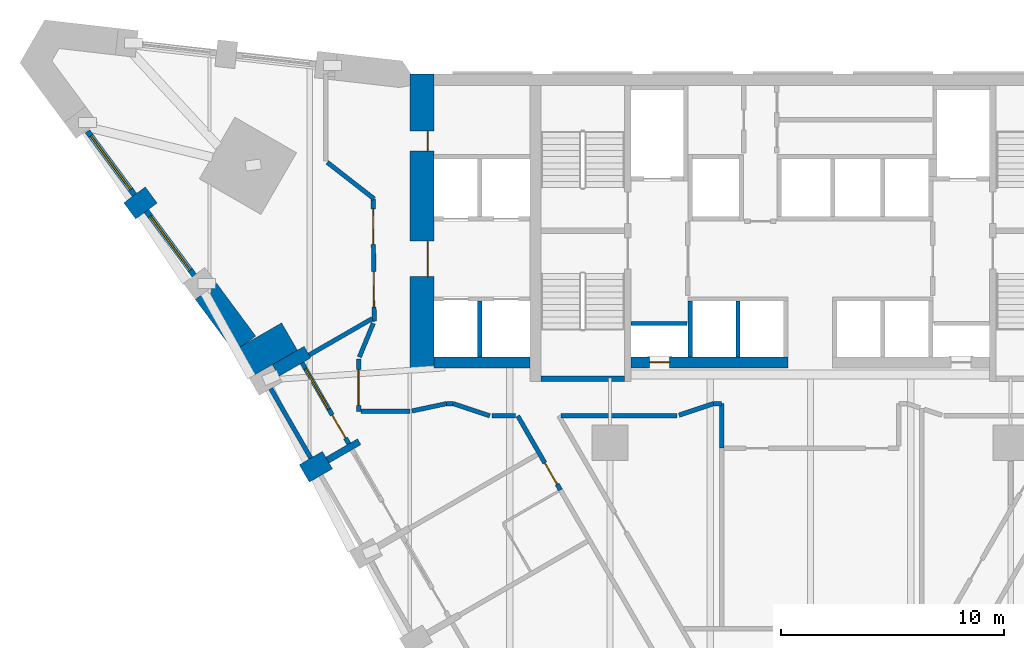
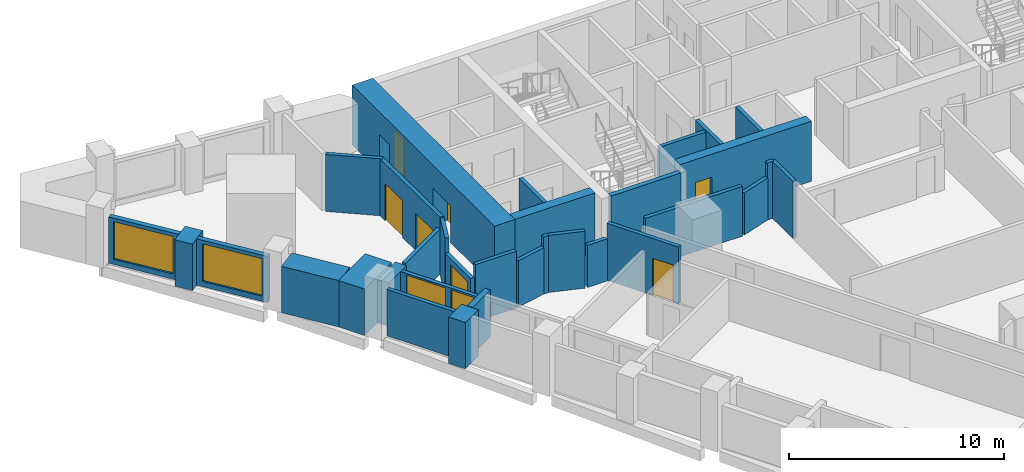
# One storey, part 5 of 10: 33 walls, 8 doors, 3 windows, 11 openings.
"""IFC4 building model written with IfcOpenShell, lengths in metres."""

from ifc_helpers import new_model, si_unit, direction, frame, frame_2d, origin, place, context, subcontext, project, spatial, polyline, rectangle, outline, extrude, material, layer, layer_set, type_object, element, fill, save


model = new_model("IFC4")

# Units and contexts
model_context = context("Model", 3, precision=1e-05, world=origin(), true_north=direction((0.0, 1.0)))
body_context = subcontext(model_context, "Body", "Model", "MODEL_VIEW")
ifc_project = project(units=[si_unit("LENGTHUNIT", "METRE"), si_unit("AREAUNIT", "SQUARE_METRE"), si_unit("VOLUMEUNIT", "CUBIC_METRE"), si_unit("PLANEANGLEUNIT", "RADIAN"), si_unit("MASSUNIT", "GRAM", prefix="KILO")], contexts=[model_context])

# Site, building, storey
site_placement = place(None, origin())
site = spatial("IfcSite", under=ifc_project, at=site_placement, CompositionType="ELEMENT")
building_placement = place(site_placement, origin())
building = spatial("IfcBuilding", under=site, at=building_placement, Name="Calabash Gate Tower", CompositionType="ELEMENT")
storey_placement = place(building_placement, frame((0.0, 0.0, 63.0)))
storey = spatial("IfcBuildingStorey", under=building, at=storey_placement, Name="L11", CompositionType="ELEMENT", Elevation=63.0)

# Walls
ifc_material_1 = material(Name="Terracotta brick masonry, exposed face", Category="masonry")
ifc_layer_1 = layer(ifc_material_1, 2.5)
ifc_layer_set_1 = layer_set([ifc_layer_1], Name="Brick corner mass wall 2500")
wall_type_1 = type_object("IfcWallType", Name="Brick corner mass wall 2500", PredefinedType="SOLIDWALL", material=ifc_layer_set_1)
wall_1_placement = place(storey_placement, frame((-25.568603515625, 6.014404296875, 0.0), z_axis=(0.0, 0.0, 1.0), x_axis=(0.866022959057, 0.500004234368, 0.0)))
element("IfcWall", 1, at=wall_1_placement, inside=storey, type_object=wall_type_1, Name="Brick corner pier S02 1", PredefinedType="SOLIDWALL", context=body_context, shape_type="SweptSolid", body=[
    extrude(rectangle(XDim=2.5, YDim=1.417236328125, at=frame_2d((1.25, 0.0))), origin(), (0.0, 0.0, 1.0), 2.6298828125),
])
ifc_material_2 = material(Name="Terracotta brick masonry, exposed face", Category="masonry")
ifc_layer_2 = layer(ifc_material_2, 1.199951171875)
ifc_layer_set_2 = layer_set([ifc_layer_2], Name="Brick end wall 1200")
wall_type_2 = type_object("IfcWallType", Name="Brick end wall 1200", PredefinedType="SOLIDWALL", material=ifc_layer_set_2)
wall_2_placement = place(storey_placement, frame((-22.7392578125, 1.114013671875, 0.0), z_axis=(0.0, 0.0, 1.0), x_axis=(0.866043267704, 0.499969057507, 0.0)))
element("IfcWall", 2, at=wall_2_placement, inside=storey, type_object=wall_type_2, Name="Brick pier S02 SW0.1", PredefinedType="SOLIDWALL", context=body_context, shape_type="SweptSolid", body=[
    extrude(rectangle(XDim=1.19970703125, YDim=0.89990234375, at=frame_2d((0.599853515625, 0.0))), origin(), (0.0, 0.0, 1.0), 2.6298828125),
])
wall_3_placement = place(storey_placement, frame((-30.581787109375, 12.91015625, 0.0), z_axis=(0.0, 0.0, 1.0), x_axis=(0.803549985832, 0.595237280644, 0.0)))
element("IfcWall", 3, at=wall_3_placement, inside=storey, type_object=wall_type_2, Name="Brick pier S02 wedge7.1", PredefinedType="SOLIDWALL", context=body_context, shape_type="SweptSolid", body=[
    extrude(rectangle(XDim=1.2001953125, YDim=0.89990234375, at=frame_2d((0.60009765625, 0.0))), origin(), (0.0, 0.0, 1.0), 2.6298828125),
])
wall_4_placement = place(storey_placement, origin())
element("IfcWall", 4, at=wall_4_placement, inside=storey, type_object=wall_type_2, Name="Brick end wall S02 3", PredefinedType="SOLIDWALL", context=body_context, shape_type="SweptSolid", body=[
    extrude(outline(polyline([(-24.921142578125, 7.285400390625), (-26.6708984375, 9.64697265625), (-26.671142578125, 9.646728515625), (-26.6708984375, 9.646484375), (-27.635009765625, 8.932373046875), (-25.90576171875, 6.5986328125), (-25.9228515625, 6.628173828125), (-25.4033203125, 6.92822265625), (-24.921142578125, 7.285400390625)])), origin(), (0.0, 0.0, 1.0), 2.6298828125),
])
ifc_material_3 = material(Name="Terracotta brick masonry, exposed face", Category="masonry")
ifc_layer_3 = layer(ifc_material_3, 0.300048828125)
ifc_layer_set_3 = layer_set([ifc_layer_3], Name="Brick loggia cheek wall 300")
wall_type_3 = type_object("IfcWallType", Name="Brick loggia cheek wall 300", PredefinedType="SOLIDWALL", material=ifc_layer_set_3)
wall_5_placement = place(storey_placement, frame((-22.59619140625, 6.56591796875, 0.0), z_axis=(0.0, 0.0, 1.0), x_axis=(-0.866040211805, -0.499974350878, 0.0)))
element("IfcWall", 5, at=wall_5_placement, inside=storey, type_object=wall_type_3, Name="Loggia cheek S02 SW0.0", PredefinedType="SOLIDWALL", context=body_context, shape_type="SweptSolid", body=[
    extrude(rectangle(XDim=1.64990234375, YDim=0.60009765625, at=frame_2d((0.824951171875, 0.0))), origin(), (0.0, 0.0, 1.0), 2.4501953125),
])
wall_6_placement = place(storey_placement, frame((-20.271240234375, 2.5390625, 0.0), z_axis=(0.0, 0.0, 1.0), x_axis=(-0.865976140824, -0.500085316245, 0.0)))
element("IfcWall", 6, at=wall_6_placement, inside=storey, type_object=wall_type_3, Name="Loggia cheek S02 SW0.1", PredefinedType="SOLIDWALL", context=body_context, shape_type="SweptSolid", body=[
    extrude(rectangle(XDim=1.650146484375, YDim=0.300048828125, at=frame_2d((0.8251953125, 0.0))), origin(), (0.0, 0.0, 1.0), 2.64990234375),
])

# Wall, openings, doors
ifc_material_4 = material(Name="Concrete C80/95", Category="concrete")
ifc_layer_4 = layer(ifc_material_4, 1.10009765625)
ifc_layer_set_4 = layer_set([ifc_layer_4], Name="Core wall 1100 Concrete C80/95")
wall_type_4 = type_object("IfcWallType", Name="Core wall 1100 Concrete C80/95", PredefinedType="SHEAR", material=ifc_layer_set_4)
wall_7_placement = place(storey_placement, frame((-17.449951171875, 5.8525390625, 0.0), z_axis=(0.0, 0.0, 1.0), x_axis=(0.0, 1.0, 0.0)))
wall_7 = element("IfcWall", 7, at=wall_7_placement, inside=storey, type_object=wall_type_4, Name="Core wall Z1-ENDW L11", PredefinedType="SHEAR", context=body_context, shape_type="SweptSolid", body=[
    extrude(rectangle(XDim=13.199951171875, YDim=1.10009765625, at=frame_2d((6.60009765625, 0.0))), origin(), (0.0, 0.0, 1.0), 3.39990234375),
])
opening_1_placement = place(wall_7_placement, frame((4.10009765625, 0.0, 0.0)))
opening_1 = element("IfcOpeningElement", 8, at=opening_1_placement, cuts=wall_7, Name="Opening H2-003", PredefinedType="OPENING", context=body_context, shape_type="SweptSolid", body=[
    extrude(rectangle(XDim=1.60009765625, YDim=2.10009765625, at=frame_2d((0.800048828125, 1.050048828125))), frame((0.0, 0.56005859375, 0.0), z_axis=(0.0, -1.0, 0.0), x_axis=(1.0, 0.0, 0.0)), (0.0, 0.0, 1.0), 1.1201171875),
])
opening_2_placement = place(wall_7_placement, frame((9.75, 0.0, 0.0)))
opening_2 = element("IfcOpeningElement", 9, at=opening_2_placement, cuts=wall_7, Name="Opening H2-004", PredefinedType="OPENING", context=body_context, shape_type="SweptSolid", body=[
    extrude(rectangle(XDim=0.89990234375, YDim=2.10009765625, at=frame_2d((0.449951171875, 1.050048828125))), frame((0.0, 0.56005859375, 0.0), z_axis=(0.0, -1.0, 0.0), x_axis=(1.0, 0.0, 0.0)), (0.0, 0.0, 1.0), 1.1201171875),
])
ifc_material_5 = material(Name="Steel fire door set with fire-resisting glazing", Category="steel")
door_type_1 = type_object("IfcDoorType", Name="Double fire door D08 1600x2100 FD60", OperationType="DOUBLE_DOOR_SINGLE_SWING", PredefinedType="DOOR", material=ifc_material_5)
door_1_placement = place(opening_1_placement, origin())
door_1 = element("IfcDoor", 10, at=door_1_placement, inside=storey, type_object=door_type_1, Name="Low-rise Lift Lobby W door", OperationType="DOUBLE_DOOR_SINGLE_SWING", OverallHeight=2.10009765625, OverallWidth=1.60009765625, PredefinedType="DOOR", context=body_context, shape_type="SweptSolid", body=[
    extrude(rectangle(XDim=1.60009765625, YDim=2.10009765625, at=frame_2d((0.800048828125, 1.050048828125))), frame((0.0, -0.22509765625, 0.0), z_axis=(0.0, -1.0, 0.0), x_axis=(1.0, 0.0, 0.0)), (0.0, 0.0, 1.0), 0.050048828125),
])
fill(opening_1, door_1)
ifc_material_6 = material(Name="Steel fire door set with fire-resisting glazing", Category="steel")
door_type_2 = type_object("IfcDoorType", Name="Fire door D06 900x2100 FD60", OperationType="NOTDEFINED", PredefinedType="DOOR", material=ifc_material_6)
door_2_placement = place(opening_2_placement, origin())
door_2 = element("IfcDoor", 11, at=door_2_placement, inside=storey, type_object=door_type_2, Name="Luggage Store door", OperationType="SINGLE_SWING_RIGHT", OverallHeight=2.10009765625, OverallWidth=0.89990234375, PredefinedType="DOOR", context=body_context, shape_type="SweptSolid", body=[
    extrude(rectangle(XDim=0.89990234375, YDim=2.10009765625, at=frame_2d((0.449951171875, 1.050048828125))), frame((0.0, -0.22509765625, 0.0), z_axis=(0.0, -1.0, 0.0), x_axis=(1.0, 0.0, 0.0)), (0.0, 0.0, 1.0), 0.050048828125),
])
fill(opening_2, door_2)

# Wall
ifc_material_7 = material(Name="Concrete C80/95", Category="concrete")
ifc_layer_5 = layer(ifc_material_7, 0.25)
ifc_layer_set_5 = layer_set([ifc_layer_5], Name="Core wall 250 Concrete C80/95")
wall_type_5 = type_object("IfcWallType", Name="Core wall 250 Concrete C80/95", PredefinedType="SHEAR", material=ifc_layer_set_5)
wall_8_placement = place(storey_placement, frame((-12.10009765625, 5.377685546875, 0.0), z_axis=(0.0, 0.0, 1.0), x_axis=(1.0, 0.0, 0.0)))
element("IfcWall", 12, at=wall_8_placement, inside=storey, type_object=wall_type_5, Name="Core wall Z1-SSW L11", PredefinedType="SHEAR", context=body_context, shape_type="SweptSolid", body=[
    extrude(rectangle(XDim=3.75, YDim=0.25, at=frame_2d((1.875, 0.0))), origin(), (0.0, 0.0, 1.0), 3.39990234375),
])

# Wall, opening, door
ifc_material_8 = material(Name="Concrete C80/95", Category="concrete")
ifc_layer_6 = layer(ifc_material_8, 0.5)
ifc_layer_set_6 = layer_set([ifc_layer_6], Name="Core wall 500 Concrete C80/95")
wall_type_6 = type_object("IfcWallType", Name="Core wall 500 Concrete C80/95", PredefinedType="SHEAR", material=ifc_layer_set_6)
wall_9_placement = place(storey_placement, frame((-8.050048828125, 6.1025390625, 0.0), z_axis=(0.0, 0.0, 1.0), x_axis=(1.0, 0.0, 0.0)))
wall_9 = element("IfcWall", 13, at=wall_9_placement, inside=storey, type_object=wall_type_6, Name="Core wall Z1-SA L11", PredefinedType="SHEAR", context=body_context, shape_type="SweptSolid", body=[
    extrude(rectangle(XDim=7.050048828125, YDim=0.5, at=frame_2d((3.52490234375, 0.0))), origin(), (0.0, 0.0, 1.0), 3.39990234375),
])
opening_3_placement = place(wall_9_placement, frame((0.824951171875, 0.0, 0.0)))
opening_3 = element("IfcOpeningElement", 14, at=opening_3_placement, cuts=wall_9, Name="Opening H2-012", PredefinedType="OPENING", context=body_context, shape_type="SweptSolid", body=[
    extrude(rectangle(XDim=0.89990234375, YDim=2.10009765625, at=frame_2d((0.449951171875, 1.050048828125))), frame((0.0, 0.260009765625, 0.0), z_axis=(0.0, -1.0, 0.0), x_axis=(1.0, 0.0, 0.0)), (0.0, 0.0, 1.0), 0.52001953125),
])
ifc_material_9 = material(Name="Steel fire door set with fire-resisting glazing", Category="steel")
door_type_3 = type_object("IfcDoorType", Name="Fire door D07 900x2100 FD90", OperationType="NOTDEFINED", PredefinedType="DOOR", material=ifc_material_9)
door_3_placement = place(opening_3_placement, origin())
door_3 = element("IfcDoor", 15, at=door_3_placement, inside=storey, type_object=door_type_3, Name="Electrical Riser W door", OperationType="SINGLE_SWING_LEFT", OverallHeight=2.10009765625, OverallWidth=0.89990234375, PredefinedType="DOOR", context=body_context, shape_type="SweptSolid", body=[
    extrude(rectangle(XDim=0.89990234375, YDim=2.10009765625, at=frame_2d((0.449951171875, 1.050048828125))), frame((0.0, 0.02490234375, 0.0), z_axis=(0.0, -1.0, 0.0), x_axis=(1.0, 0.0, 0.0)), (0.0, 0.0, 1.0), 0.050048828125),
])
fill(opening_3, door_3)

# Wall
wall_10_placement = place(storey_placement, frame((-12.60009765625, 6.1025390625, 0.0), z_axis=(0.0, 0.0, 1.0), x_axis=(-1.0, 0.0, 0.0)))
element("IfcWall", 16, at=wall_10_placement, inside=storey, type_object=wall_type_6, Name="Core wall Z1-SW L11", PredefinedType="SHEAR", context=body_context, shape_type="SweptSolid", body=[
    extrude(rectangle(XDim=4.2998046875, YDim=0.5, at=frame_2d((2.14990234375, 0.0))), origin(), (0.0, 0.0, 1.0), 3.39990234375),
])

# Wall, opening, door
ifc_material_10 = material(Name="Gypsum board on steel studs, mineral wool", Category="steel")
ifc_layer_7 = layer(ifc_material_10, 0.199951171875)
ifc_layer_set_7 = layer_set([ifc_layer_7], Name="Partition 200 gypsum board EI 60")
wall_type_7 = type_object("IfcWallType", Name="Partition 200 gypsum board EI 60", PredefinedType="PARTITIONING", material=ifc_layer_set_7)
wall_11_placement = place(storey_placement, frame((-13.1474609375, 3.699462890625, 0.0), z_axis=(0.0, 0.0, 1.0), x_axis=(0.499337423021, -0.866407604982, 0.0)))
wall_11 = element("IfcWall", 17, at=wall_11_placement, inside=storey, type_object=wall_type_7, Name="Partition", PredefinedType="PARTITIONING", context=body_context, shape_type="SweptSolid", body=[
    extrude(rectangle(XDim=3.843017578125, YDim=0.199951171875, at=frame_2d((1.92138671875, 0.0))), origin(), (0.0, 0.0, 1.0), 3.22998046875),
])
opening_4_placement = place(wall_11_placement, frame((2.443115234375, 0.0, 0.0)))
opening_4 = element("IfcOpeningElement", 18, at=opening_4_placement, cuts=wall_11, Name="Opening 09-11-001", PredefinedType="OPENING", context=body_context, shape_type="SweptSolid", body=[
    extrude(rectangle(XDim=1.10009765625, YDim=2.10009765625, at=frame_2d((0.550048828125, 1.050048828125))), frame((0.0, 0.10986328125, 0.0), z_axis=(0.0, -1.0, 0.0), x_axis=(1.0, 0.0, 0.0)), (0.0, 0.0, 1.0), 0.219970703125),
])
ifc_material_11 = material(Name="Steel fire door set with fire-resisting glazing", Category="steel")
door_type_4 = type_object("IfcDoorType", Name="GD2 Accessible guest room entrance door 1100x2100", OperationType="NOTDEFINED", PredefinedType="DOOR", material=ifc_material_11)
door_4_placement = place(opening_4_placement, origin())
door_4 = element("IfcDoor", 19, at=door_4_placement, inside=storey, type_object=door_type_4, Name="Accessible guest room entrance door", OperationType="SINGLE_SWING_RIGHT", OverallHeight=2.10009765625, OverallWidth=1.10009765625, PredefinedType="DOOR", context=body_context, shape_type="SweptSolid", body=[
    extrude(rectangle(XDim=1.10009765625, YDim=2.10009765625, at=frame_2d((0.550048828125, 1.050048828125))), frame((0.0, 0.02490234375, 0.0), z_axis=(0.0, -1.0, 0.0), x_axis=(1.0, 0.0, 0.0)), (0.0, 0.0, 1.0), 0.050048828125),
])
fill(opening_4, door_4)

# Walls
wall_12_placement = place(storey_placement, frame((-3.98193359375, 4.25048828125, 0.0), z_axis=(0.0, 0.0, 1.0), x_axis=(0.000855327155, -0.999999634208, 0.0)))
element("IfcWall", 20, at=wall_12_placement, inside=storey, type_object=wall_type_7, Name="Partition", PredefinedType="PARTITIONING", context=body_context, shape_type="SweptSolid", body=[
    extrude(rectangle(XDim=1.998046875, YDim=0.199951171875, at=frame_2d((0.9990234375, 0.0))), origin(), (0.0, 0.0, 1.0), 3.22998046875),
])
wall_13_placement = place(storey_placement, frame((-16.057861328125, 4.252197265625, 0.0), z_axis=(0.0, 0.0, 1.0), x_axis=(0.948655351627, -0.316311592943, 0.0)))
element("IfcWall", 21, at=wall_13_placement, inside=storey, type_object=wall_type_7, Name="Partition", PredefinedType="PARTITIONING", context=body_context, shape_type="SweptSolid", body=[
    extrude(rectangle(XDim=1.747314453125, YDim=0.199951171875, at=frame_2d((0.87353515625, 0.0))), origin(), (0.0, 0.0, 1.0), 3.22998046875),
])
wall_14_placement = place(storey_placement, frame((-14.300048828125, 3.699462890625, 0.0), z_axis=(0.0, 0.0, 1.0), x_axis=(1.0, 0.0, 0.0)))
element("IfcWall", 22, at=wall_14_placement, inside=storey, type_object=wall_type_7, Name="Partition", PredefinedType="PARTITIONING", context=body_context, shape_type="SweptSolid", body=[
    extrude(rectangle(XDim=1.052490234375, YDim=0.199951171875, at=frame_2d((0.5263671875, 0.0))), origin(), (0.0, 0.0, 1.0), 2.384033203125),
])
wall_15_placement = place(storey_placement, frame((-11.199462890625, 3.69970703125, 0.0), z_axis=(0.0, 0.0, 1.0), x_axis=(1.0, 0.0, 0.0)))
element("IfcWall", 23, at=wall_15_placement, inside=storey, type_object=wall_type_7, Name="Partition", PredefinedType="PARTITIONING", context=body_context, shape_type="SweptSolid", body=[
    extrude(rectangle(XDim=5.199462890625, YDim=0.199951171875, at=frame_2d((2.599609375, 0.0))), origin(), (0.0, 0.0, 1.0), 2.83154296875),
])

# Wall, opening, door
wall_16_placement = place(storey_placement, frame((-20.300537109375, 6.252685546875, 0.0), z_axis=(0.0, 0.0, 1.0), x_axis=(0.000103755965, -0.999999994617, 0.0)))
wall_16 = element("IfcWall", 24, at=wall_16_placement, inside=storey, type_object=wall_type_7, Name="Partition", PredefinedType="PARTITIONING", context=body_context, shape_type="SweptSolid", body=[
    extrude(rectangle(XDim=2.35302734375, YDim=0.199951171875, at=frame_2d((1.176513671875, 0.0))), origin(), (0.0, 0.0, 1.0), 2.4501953125),
])
opening_5_placement = place(wall_16_placement, frame((0.476318359375, 0.0, 0.0)))
opening_5 = element("IfcOpeningElement", 25, at=opening_5_placement, cuts=wall_16, Name="Opening 09-11-018", PredefinedType="OPENING", context=body_context, shape_type="SweptSolid", body=[
    extrude(rectangle(XDim=1.60009765625, YDim=2.10009765625, at=frame_2d((0.800048828125, 1.050048828125))), frame((0.0, 0.10986328125, 0.0), z_axis=(0.0, -1.0, 0.0), x_axis=(1.0, 0.0, 0.0)), (0.0, 0.0, 1.0), 0.219970703125),
])
ifc_material_12 = material(Name="Steel fire door set with fire-resisting glazing", Category="steel")
door_type_5 = type_object("IfcDoorType", Name="LD1 Lounge double door 1600x2100", OperationType="NOTDEFINED", PredefinedType="DOOR", material=ifc_material_12)
door_5_placement = place(opening_5_placement, origin())
door_5 = element("IfcDoor", 26, at=door_5_placement, inside=storey, type_object=door_type_5, Name="Lounge double door", OperationType="DOUBLE_DOOR_SINGLE_SWING", OverallHeight=2.10009765625, OverallWidth=1.60009765625, PredefinedType="DOOR", context=body_context, shape_type="SweptSolid", body=[
    extrude(rectangle(XDim=1.60009765625, YDim=2.10009765625, at=frame_2d((0.800048828125, 1.050048828125))), frame((0.0, 0.02490234375, 0.0), z_axis=(0.0, -1.0, 0.0), x_axis=(1.0, 0.0, 0.0)), (0.0, 0.0, 1.0), 0.050048828125),
])
fill(opening_5, door_5)

# Walls
wall_17_placement = place(storey_placement, frame((-20.2001953125, 3.899658203125, 0.0), z_axis=(0.0, 0.0, 1.0), x_axis=(0.999999993844, -0.00011096316, 0.0)))
element("IfcWall", 27, at=wall_17_placement, inside=storey, type_object=wall_type_7, Name="Partition", PredefinedType="PARTITIONING", context=body_context, shape_type="SweptSolid", body=[
    extrude(rectangle(XDim=2.2001953125, YDim=0.199951171875, at=frame_2d((1.10009765625, 0.0))), origin(), (0.0, 0.0, 1.0), 3.22998046875),
])
wall_18_placement = place(storey_placement, frame((-17.902099609375, 3.92041015625, 0.0), z_axis=(0.0, 0.0, 1.0), x_axis=(0.978117199083, 0.208054667953, 0.0)))
element("IfcWall", 28, at=wall_18_placement, inside=storey, type_object=wall_type_7, Name="Partition", PredefinedType="PARTITIONING", context=body_context, shape_type="SweptSolid", body=[
    extrude(rectangle(XDim=1.5947265625, YDim=0.199951171875, at=frame_2d((0.79736328125, 0.0))), origin(), (0.0, 0.0, 1.0), 2.6279296875),
])
wall_19_placement = place(storey_placement, frame((-16.34228515625, 4.252197265625, 0.0), z_axis=(0.0, 0.0, 1.0), x_axis=(1.0, 0.0, 0.0)))
element("IfcWall", 29, at=wall_19_placement, inside=storey, type_object=wall_type_7, Name="Partition", PredefinedType="PARTITIONING", context=body_context, shape_type="SweptSolid", body=[
    extrude(rectangle(XDim=0.284423828125, YDim=0.199951171875, at=frame_2d((0.14208984375, 0.0))), origin(), (0.0, 0.0, 1.0), 3.22998046875),
])
wall_20_placement = place(storey_placement, frame((-5.905029296875, 3.7314453125, 0.0), z_axis=(0.0, 0.0, 1.0), x_axis=(0.948668476379, 0.316272227557, 0.0)))
element("IfcWall", 30, at=wall_20_placement, inside=storey, type_object=wall_type_7, Name="Partition", PredefinedType="PARTITIONING", context=body_context, shape_type="SweptSolid", body=[
    extrude(rectangle(XDim=1.647216796875, YDim=0.199951171875, at=frame_2d((0.82373046875, 0.0))), origin(), (0.0, 0.0, 1.0), 2.384033203125),
])
wall_21_placement = place(storey_placement, frame((-4.34228515625, 4.25244140625, 0.0), z_axis=(0.0, 0.0, 1.0), x_axis=(0.99998531183, -0.00541997459, 0.0)))
element("IfcWall", 31, at=wall_21_placement, inside=storey, type_object=wall_type_7, Name="Partition", PredefinedType="PARTITIONING", context=body_context, shape_type="SweptSolid", body=[
    extrude(rectangle(XDim=0.3603515625, YDim=0.199951171875, at=frame_2d((0.18017578125, 0.0))), origin(), (0.0, 0.0, 1.0), 3.22998046875),
])
wall_22_placement = place(storey_placement, frame((-20.262451171875, 6.34521484375, 0.0), z_axis=(0.0, 0.0, 1.0), x_axis=(0.380749805254, 0.924678098475, 0.0)))
element("IfcWall", 32, at=wall_22_placement, inside=storey, type_object=wall_type_7, Name="Partition", PredefinedType="PARTITIONING", context=body_context, shape_type="SweptSolid", body=[
    extrude(rectangle(XDim=1.63818359375, YDim=0.199951171875, at=frame_2d((0.819091796875, 0.0))), origin(), (0.0, 0.0, 1.0), 3.22998046875),
])

# Wall, openings, doors
wall_23_placement = place(storey_placement, frame((-19.6494140625, 13.451904296875, 0.0), z_axis=(0.0, 0.0, 1.0), x_axis=(0.00887867333, -0.999960583803, 0.0)))
wall_23 = element("IfcWall", 33, at=wall_23_placement, inside=storey, type_object=wall_type_7, Name="Partition", PredefinedType="PARTITIONING", context=body_context, shape_type="SweptSolid", body=[
    extrude(rectangle(XDim=5.49951171875, YDim=0.199951171875, at=frame_2d((2.749755859375, 0.0))), origin(), (0.0, 0.0, 1.0), 3.22998046875),
])
opening_6_placement = place(wall_23_placement, frame((3.265625, 0.0, 0.0)))
opening_6 = element("IfcOpeningElement", 34, at=opening_6_placement, cuts=wall_23, Name="Opening 09-11-016", PredefinedType="OPENING", context=body_context, shape_type="SweptSolid", body=[
    extrude(rectangle(XDim=1.60009765625, YDim=2.10009765625, at=frame_2d((0.800048828125, 1.050048828125))), frame((0.0, 0.10986328125, 0.0), z_axis=(0.0, -1.0, 0.0), x_axis=(1.0, 0.0, 0.0)), (0.0, 0.0, 1.0), 0.219970703125),
])
opening_7_placement = place(wall_23_placement, frame((0.4501953125, 0.0, 0.0)))
opening_7 = element("IfcOpeningElement", 35, at=opening_7_placement, cuts=wall_23, Name="Opening 09-11-017", PredefinedType="OPENING", context=body_context, shape_type="SweptSolid", body=[
    extrude(rectangle(XDim=1.60009765625, YDim=2.10009765625, at=frame_2d((0.800048828125, 1.050048828125))), frame((0.0, 0.10986328125, 0.0), z_axis=(0.0, -1.0, 0.0), x_axis=(1.0, 0.0, 0.0)), (0.0, 0.0, 1.0), 0.219970703125),
])
door_6_placement = place(opening_6_placement, origin())
door_6 = element("IfcDoor", 36, at=door_6_placement, inside=storey, type_object=door_type_5, Name="Lounge double door", OperationType="DOUBLE_DOOR_SINGLE_SWING", OverallHeight=2.10009765625, OverallWidth=1.60009765625, PredefinedType="DOOR", context=body_context, shape_type="SweptSolid", body=[
    extrude(rectangle(XDim=1.60009765625, YDim=2.10009765625, at=frame_2d((0.800048828125, 1.050048828125))), frame((0.0, 0.02490234375, 0.0), z_axis=(0.0, -1.0, 0.0), x_axis=(1.0, 0.0, 0.0)), (0.0, 0.0, 1.0), 0.050048828125),
])
fill(opening_6, door_6)
door_7_placement = place(opening_7_placement, origin())
door_7 = element("IfcDoor", 37, at=door_7_placement, inside=storey, type_object=door_type_5, Name="Lounge double door", OperationType="DOUBLE_DOOR_SINGLE_SWING", OverallHeight=2.10009765625, OverallWidth=1.60009765625, PredefinedType="DOOR", context=body_context, shape_type="SweptSolid", body=[
    extrude(rectangle(XDim=1.60009765625, YDim=2.10009765625, at=frame_2d((0.800048828125, 1.050048828125))), frame((0.0, 0.02490234375, 0.0), z_axis=(0.0, -1.0, 0.0), x_axis=(1.0, 0.0, 0.0)), (0.0, 0.0, 1.0), 0.050048828125),
])
fill(opening_7, door_7)

# Walls
wall_24_placement = place(storey_placement, frame((-22.52099609375, 6.435791015625, 0.0), z_axis=(0.0, 0.0, 1.0), x_axis=(0.866279994271, 0.499558776848, 0.0)))
element("IfcWall", 38, at=wall_24_placement, inside=storey, type_object=wall_type_7, Name="Partition", PredefinedType="PARTITIONING", context=body_context, shape_type="SweptSolid", body=[
    extrude(rectangle(XDim=3.271484375, YDim=0.199951171875, at=frame_2d((1.6357421875, 0.0))), origin(), (0.0, 0.0, 1.0), 2.552001953125),
])
wall_25_placement = place(storey_placement, frame((-21.703369140625, 15.0908203125, 0.0), z_axis=(0.0, 0.0, 1.0), x_axis=(0.788819319895, -0.614625154513, 0.0)))
element("IfcWall", 39, at=wall_25_placement, inside=storey, type_object=wall_type_7, Name="Partition", PredefinedType="PARTITIONING", context=body_context, shape_type="SweptSolid", body=[
    extrude(rectangle(XDim=2.665771484375, YDim=0.199951171875, at=frame_2d((1.3330078125, 0.0))), origin(), (0.0, 0.0, 1.0), 3.22998046875),
])

# Wall, opening, window
ifc_material_13 = material(Name="Aluminium framed window wall with insulated spandrel", Category="aluminium")
ifc_layer_8 = layer(ifc_material_13, 0.25)
ifc_layer_set_8 = layer_set([ifc_layer_8], Name="Prow window wall 250")
wall_type_8 = type_object("IfcWallType", Name="Prow window wall 250", PredefinedType="ELEMENTEDWALL", material=ifc_layer_set_8)
wall_26_placement = place(storey_placement, frame((-32.480712890625, 16.481201171875, 0.0), z_axis=(0.0, 0.0, 1.0), x_axis=(0.595304805086, -0.803499962067, 0.0)))
wall_26 = element("IfcWall", 40, at=wall_26_placement, inside=storey, type_object=wall_type_8, Name="Prow window wall S02 wedge7.1", PredefinedType="ELEMENTEDWALL", context=body_context, shape_type="SweptSolid", body=[
    extrude(rectangle(XDim=3.552001953125, YDim=0.25, at=frame_2d((1.77587890625, 0.0))), origin(), (0.0, 0.0, 1.0), 2.6298828125),
])
opening_8_placement = place(wall_26_placement, frame((0.25, 0.0, 0.300048828125)))
opening_8 = element("IfcOpeningElement", 41, at=opening_8_placement, cuts=wall_26, Name="Opening WP1L-2130", PredefinedType="OPENING", context=body_context, shape_type="SweptSolid", body=[
    extrude(rectangle(XDim=3.0, YDim=2.1298828125, at=frame_2d((1.5, 1.06494140625))), frame((0.0, 0.135009765625, 0.0), z_axis=(0.0, -1.0, 0.0), x_axis=(1.0, 0.0, 0.0)), (0.0, 0.0, 1.0), 0.27001953125),
])
ifc_material_14 = material(Name="Anodised aluminium frame, bronze finish, impact-rated laminated clear glazing", Category="aluminium")
window_type_1 = type_object("IfcWindowType", Name="Window WP1L 3000x2130", PartitioningType="DOUBLE_PANEL_VERTICAL", PredefinedType="WINDOW", material=ifc_material_14)
window_1_placement = place(opening_8_placement, origin())
window_1 = element("IfcWindow", 42, at=window_1_placement, inside=storey, type_object=window_type_1, Name="Prow window WP1L S02 wedge7.1", OverallHeight=2.1298828125, OverallWidth=3.0, PartitioningType="SINGLE_PANEL", PredefinedType="WINDOW", context=body_context, shape_type="SweptSolid", body=[
    extrude(rectangle(XDim=3.0, YDim=2.1298828125, at=frame_2d((1.5, 1.06494140625))), frame((0.0, 0.030029296875, 0.0), z_axis=(0.0, -1.0, 0.0), x_axis=(1.0, 0.0, 0.0)), (0.0, 0.0, 1.0), 0.06005859375),
])
fill(opening_8, window_1)

wall_27_placement = place(storey_placement, frame((-29.831787109375, 12.905517578125, 0.0), z_axis=(0.0, 0.0, 1.0), x_axis=(0.595302153335, -0.803501926715, 0.0)))
wall_27 = element("IfcWall", 43, at=wall_27_placement, inside=storey, type_object=wall_type_8, Name="Prow window wall S02 wedge7.2", PredefinedType="ELEMENTEDWALL", context=body_context, shape_type="SweptSolid", body=[
    extrude(rectangle(XDim=3.599853515625, YDim=0.25, at=frame_2d((1.7998046875, 0.0))), origin(), (0.0, 0.0, 1.0), 2.6298828125),
])
opening_9_placement = place(wall_27_placement, frame((0.300048828125, 0.0, 0.300048828125)))
opening_9 = element("IfcOpeningElement", 44, at=opening_9_placement, cuts=wall_27, Name="Opening WP1L-2130", PredefinedType="OPENING", context=body_context, shape_type="SweptSolid", body=[
    extrude(rectangle(XDim=3.0, YDim=2.1298828125, at=frame_2d((1.5, 1.06494140625))), frame((0.0, 0.135009765625, 0.0), z_axis=(0.0, -1.0, 0.0), x_axis=(1.0, 0.0, 0.0)), (0.0, 0.0, 1.0), 0.27001953125),
])
window_2_placement = place(opening_9_placement, origin())
window_2 = element("IfcWindow", 45, at=window_2_placement, inside=storey, type_object=window_type_1, Name="Prow window WP1L S02 wedge7.2", OverallHeight=2.1298828125, OverallWidth=3.0, PartitioningType="SINGLE_PANEL", PredefinedType="WINDOW", context=body_context, shape_type="SweptSolid", body=[
    extrude(rectangle(XDim=3.0, YDim=2.1298828125, at=frame_2d((1.5, 1.06494140625))), frame((0.0, 0.030029296875, 0.0), z_axis=(0.0, -1.0, 0.0), x_axis=(1.0, 0.0, 0.0)), (0.0, 0.0, 1.0), 0.06005859375),
])
fill(opening_9, window_2)

# Walls
ifc_material_15 = material(Name="Concrete C40/50", Category="concrete")
ifc_layer_9 = layer(ifc_material_15, 0.199951171875)
ifc_layer_set_9 = layer_set([ifc_layer_9], Name="Shaft wall 200 Concrete C40/50")
wall_type_9 = type_object("IfcWallType", Name="Shaft wall 200 Concrete C40/50", PredefinedType="SOLIDWALL", material=ifc_layer_set_9)
for number, where, z_axis, x_axis, name in (
    (46, (-14.85009765625, 6.3525390625, 0.0), (0.0, 0.0, 1.0), (0.0, 1.0, 0.0), "Shaft wall"),
    (47, (-5.39990234375, 6.3525390625, 0.0), (0.0, 0.0, 1.0), (0.0, 1.0, 0.0), "Shaft wall"),
    (48, (-3.25, 6.3525390625, 0.0), (0.0, 0.0, 1.0), (0.0, 1.0, 0.0), "Shaft wall"),
    (49, (-8.050048828125, 7.8525390625, 0.0), (0.0, 0.0, 1.0), (1.0, 0.0, 0.0), "Shaft wall"),
):
    element("IfcWall", number, at=place(storey_placement, frame(where, z_axis=z_axis, x_axis=x_axis)), inside=storey, type_object=wall_type_9, Name=name, PredefinedType="SOLIDWALL", context=body_context, shape_type="SweptSolid", body=[
        extrude(rectangle(XDim=2.5, YDim=0.199951171875, at=frame_2d((1.25, 0.0))), origin(), (0.0, 0.0, 1.0), 3.22998046875),
    ])
ifc_material_16 = material(Name="Terracotta brick masonry, perforated", Category="masonry")
ifc_layer_10 = layer(ifc_material_16, 0.199951171875)
ifc_layer_set_10 = layer_set([ifc_layer_10], Name="Terracotta jaali screen B")
wall_type_10 = type_object("IfcWallType", Name="Terracotta jaali screen B", PredefinedType="SOLIDWALL", material=ifc_layer_set_10)
wall_28_placement = place(storey_placement, frame((-24.24462890625, 4.92138671875, 0.0), z_axis=(0.0, 0.0, 1.0), x_axis=(0.499961193289, -0.866047807691, 0.0)))
element("IfcWall", 50, at=wall_28_placement, inside=storey, type_object=wall_type_10, Name="SCREEN B S02 SW0.1", PredefinedType="SOLIDWALL", context=body_context, shape_type="SweptSolid", body=[
    extrude(rectangle(XDim=3.599853515625, YDim=0.199951171875, at=frame_2d((1.7998046875, 0.0))), origin(), (0.0, 0.0, 1.0), 2.6298828125),
])

# Wall, openings, door, window
ifc_material_17 = material(Name="Aluminium framed window wall with insulated spandrel", Category="aluminium")
ifc_layer_11 = layer(ifc_material_17, 0.199951171875)
ifc_layer_set_11 = layer_set([ifc_layer_11], Name="Window wall 200")
wall_type_11 = type_object("IfcWallType", Name="Window wall 200", PredefinedType="ELEMENTEDWALL", material=ifc_layer_set_11)
wall_29_placement = place(storey_placement, frame((-22.8359375, 6.081298828125, 0.0), z_axis=(0.0, 0.0, 1.0), x_axis=(0.500002543286, -0.866023935413, 0.0)))
wall_29 = element("IfcWall", 51, at=wall_29_placement, inside=storey, type_object=wall_type_11, Name="Window wall S02 SW0.1", PredefinedType="ELEMENTEDWALL", context=body_context, shape_type="SweptSolid", body=[
    extrude(rectangle(XDim=4.2001953125, YDim=0.199951171875, at=frame_2d((2.10009765625, 0.0))), origin(), (0.0, 0.0, 1.0), 2.4501953125),
])
opening_10_placement = place(wall_29_placement, frame((0.300048828125, 0.0, 0.60009765625)))
opening_10 = element("IfcOpeningElement", 52, at=opening_10_placement, cuts=wall_29, Name="Opening HW1L-1750", PredefinedType="OPENING", context=body_context, shape_type="SweptSolid", body=[
    extrude(rectangle(XDim=2.10009765625, YDim=1.75, at=frame_2d((1.050048828125, 0.875))), frame((0.0, 0.10986328125, 0.0), z_axis=(0.0, -1.0, 0.0), x_axis=(1.0, 0.0, 0.0)), (0.0, 0.0, 1.0), 0.219970703125),
])
opening_11_placement = place(wall_29_placement, frame((2.699951171875, 0.0, 0.0)))
opening_11 = element("IfcOpeningElement", 53, at=opening_11_placement, cuts=wall_29, Name="Opening H2-023", PredefinedType="OPENING", context=body_context, shape_type="SweptSolid", body=[
    extrude(rectangle(XDim=1.199951171875, YDim=2.35009765625, at=frame_2d((0.60009765625, 1.175048828125))), frame((0.0, 0.10986328125, 0.0), z_axis=(0.0, -1.0, 0.0), x_axis=(1.0, 0.0, 0.0)), (0.0, 0.0, 1.0), 0.219970703125),
])
ifc_material_18 = material(Name="Anodised aluminium frame, bronze finish, impact-rated laminated clear glazing", Category="aluminium")
door_type_6 = type_object("IfcDoorType", Name="Loggia door DH1L-2350 1200x2350", OperationType="SLIDING_TO_LEFT", PredefinedType="DOOR", material=ifc_material_18)
door_8_placement = place(opening_11_placement, origin())
door_8 = element("IfcDoor", 54, at=door_8_placement, inside=storey, type_object=door_type_6, Name="Loggia door S02 SW0.1", OperationType="SINGLE_SWING_LEFT", OverallHeight=2.35009765625, OverallWidth=1.199951171875, PredefinedType="DOOR", context=body_context, shape_type="SweptSolid", body=[
    extrude(rectangle(XDim=1.199951171875, YDim=2.35009765625, at=frame_2d((0.60009765625, 1.175048828125))), frame((0.0, 0.02490234375, 0.0), z_axis=(0.0, -1.0, 0.0), x_axis=(1.0, 0.0, 0.0)), (0.0, 0.0, 1.0), 0.050048828125),
])
fill(opening_11, door_8)
ifc_material_19 = material(Name="Anodised aluminium frame, bronze finish, impact-rated laminated clear glazing", Category="aluminium")
window_type_2 = type_object("IfcWindowType", Name="Window HW1L 2100x1750", PartitioningType="DOUBLE_PANEL_VERTICAL", PredefinedType="WINDOW", material=ifc_material_19)
window_3_placement = place(opening_10_placement, origin())
window_3 = element("IfcWindow", 55, at=window_3_placement, inside=storey, type_object=window_type_2, Name="Window HW1 S02 SW0.1", OverallHeight=1.75, OverallWidth=2.10009765625, PartitioningType="SINGLE_PANEL", PredefinedType="WINDOW", context=body_context, shape_type="SweptSolid", body=[
    extrude(rectangle(XDim=2.10009765625, YDim=1.75, at=frame_2d((1.050048828125, 0.875))), frame((0.0, 0.030029296875, 0.0), z_axis=(0.0, -1.0, 0.0), x_axis=(1.0, 0.0, 0.0)), (0.0, 0.0, 1.0), 0.06005859375),
])
fill(opening_10, window_3)

save(model, "model.ifc")
